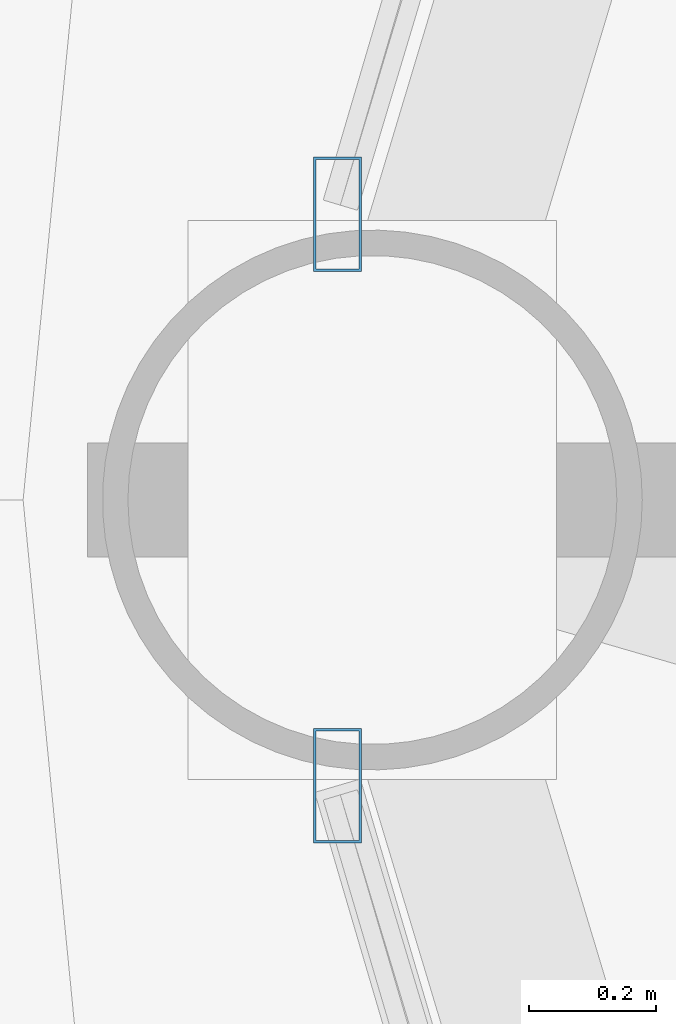
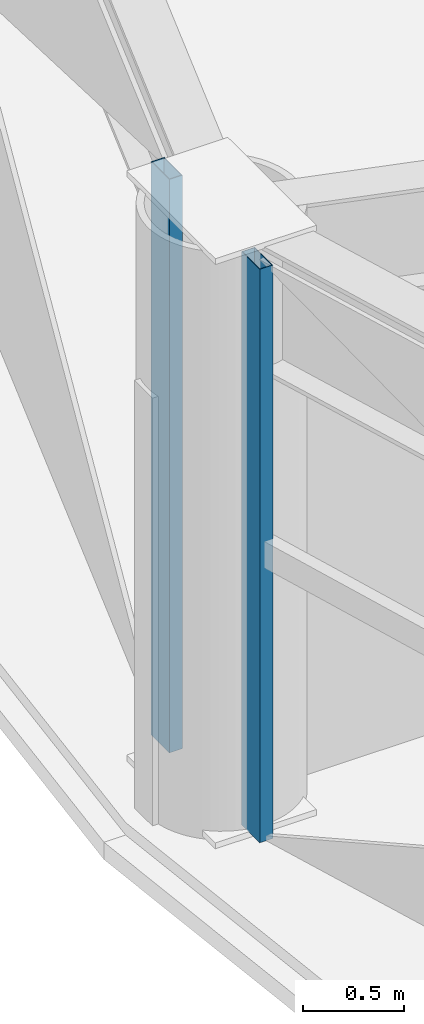
# One storey, part 7 of 31: 2 members, 2 elements without a shape of their own.
"""IFC4 building model written with IfcOpenShell, lengths in metres."""

from ifc_helpers import new_model, si_unit, direction, frame, origin, origin_2d, place, context, subcontext, project, spatial, hollow_rectangle, extrude, material, layer, layer_set, material_profile, profile_set, type_object, element, aggregate, save


model = new_model("IFC4")

# Units and contexts
model_context = context("Model", 3, precision=1e-05, world=origin(), true_north=direction((0.0, 1.0)))
body_context = subcontext(model_context, "Body", "Model", "MODEL_VIEW")
ifc_project = project(units=[si_unit("LENGTHUNIT", "METRE"), si_unit("AREAUNIT", "SQUARE_METRE"), si_unit("VOLUMEUNIT", "CUBIC_METRE"), si_unit("PLANEANGLEUNIT", "RADIAN"), si_unit("MASSUNIT", "GRAM", prefix="KILO")], contexts=[model_context])

# Site, building, storey
site_placement = place(None, origin())
site = spatial("IfcSite", under=ifc_project, at=site_placement, CompositionType="ELEMENT")
building_placement = place(site_placement, origin())
building = spatial("IfcBuilding", under=site, at=building_placement, Name="Vantalir Tower", CompositionType="ELEMENT")
storey_placement = place(building_placement, frame((0.0, 0.0, 30.75)))
storey = spatial("IfcBuildingStorey", under=building, at=storey_placement, Name="L06", CompositionType="ELEMENT", Elevation=30.75)

# Curtain wall, member
ifc_material_1 = material(Name="Champagne-silver PVDF aluminium and double-silver Low-E glass", Category="aluminium")
ifc_layer = layer(ifc_material_1, 0.18994140625)
ifc_layer_set = layer_set([ifc_layer], Name="Champagne-silver PVDF aluminium and double-silver Low-E glass")
curtain_wall_type = type_object("IfcCurtainWallType", Name="CW-DIAMOND-Z1", PredefinedType="USERDEFINED", material=ifc_layer_set)
curtain_wall_1_placement = place(storey_placement, origin())
curtain_wall_1 = element("IfcCurtainWall", 1, at=curtain_wall_1_placement, inside=storey, type_object=curtain_wall_type, Name="L06 Quilted Pyramid-Diamond Curtain Wall S06", ObjectType="UNITISED CURTAIN WALL", PredefinedType="USERDEFINED")
ifc_material_2 = material(Name="Champagne-silver PVDF aluminium 6063-T6", Category="aluminium")
ifc_material_profile = material_profile(ifc_material_2, hollow_rectangle(XDim=0.074951171875, YDim=0.179931640625, WallThickness=0.00390625, at=origin_2d()), Name="Champagne-silver PVDF aluminium 6063-T6")
ifc_profile_set = profile_set([ifc_material_profile], Name="Champagne-silver PVDF aluminium 6063-T6")
member_type = type_object("IfcMemberType", Name="CWM-180x75", PredefinedType="MULLION", material=ifc_profile_set)
member_1_placement = place(storey_placement, frame((5.9951171875, 25.449951171875, 0.044921875), z_axis=(0.0, 0.0, 1.0), x_axis=(1.0, 0.0, 0.0)))
member_1 = element("IfcMember", 2, at=member_1_placement, type_object=member_type, Name="CW-L06-S06 Mullion 2", PredefinedType="MULLION", context=body_context, shape_type="SweptSolid", body=[
    extrude(hollow_rectangle(XDim=0.074951171875, YDim=0.179931640625, WallThickness=0.00390625, at=origin_2d()), origin(), (0.0, 0.0, 1.0), 3.47998046875),
])
aggregate(curtain_wall_1, [member_1])

curtain_wall_2_placement = place(storey_placement, origin())
curtain_wall_2 = element("IfcCurtainWall", 3, at=curtain_wall_2_placement, inside=storey, type_object=curtain_wall_type, Name="L06 Quilted Pyramid-Diamond Curtain Wall S07", ObjectType="UNITISED CURTAIN WALL", PredefinedType="USERDEFINED")
member_2_placement = place(storey_placement, frame((5.9951171875, 24.550048828125, 0.044921875), z_axis=(0.0, 0.0, 1.0), x_axis=(1.0, 0.0, 0.0)))
member_2 = element("IfcMember", 4, at=member_2_placement, type_object=member_type, Name="CW-L06-S07 Mullion 1", PredefinedType="MULLION", context=body_context, shape_type="SweptSolid", body=[
    extrude(hollow_rectangle(XDim=0.074951171875, YDim=0.179931640625, WallThickness=0.00390625, at=origin_2d()), origin(), (0.0, 0.0, 1.0), 3.47998046875),
])
aggregate(curtain_wall_2, [member_2])

save(model, "model.ifc")
